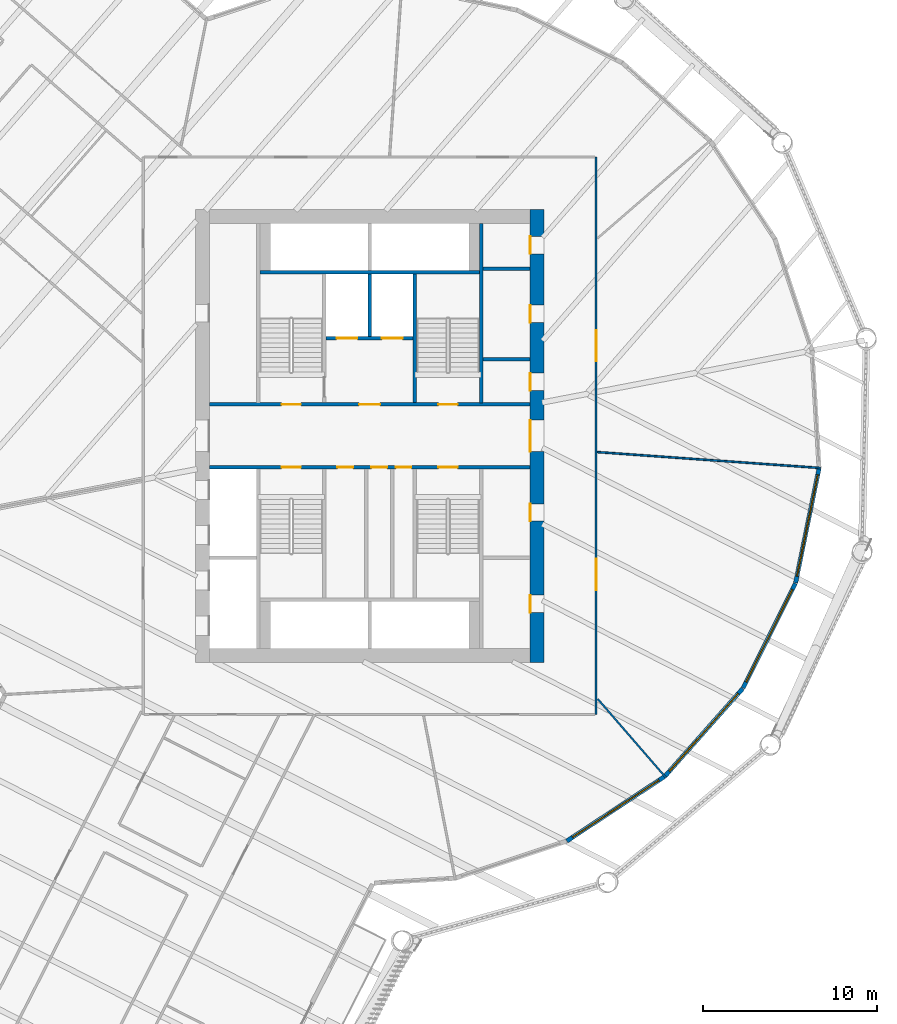
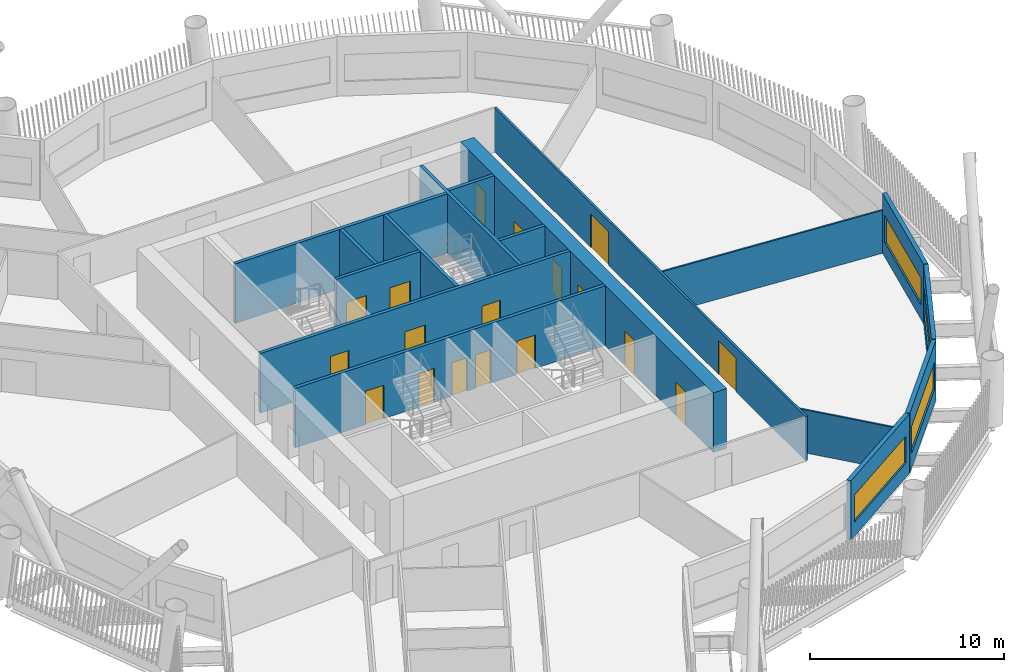
# One storey, part 5 of 21: 18 doors, 17 walls, 4 windows, 22 openings.
"""IFC4 building model written with IfcOpenShell, lengths in metres."""

from ifc_helpers import new_model, si_unit, direction, frame, frame_2d, origin, place, context, subcontext, project, spatial, rectangle, extrude, material, layer, layer_set, type_object, element, fill, save


model = new_model("IFC4")

# Units and contexts
model_context = context("Model", 3, precision=1e-05, world=origin(), true_north=direction((0.0, 1.0)))
body_context = subcontext(model_context, "Body", "Model", "MODEL_VIEW")
ifc_project = project(units=[si_unit("LENGTHUNIT", "METRE"), si_unit("AREAUNIT", "SQUARE_METRE"), si_unit("VOLUMEUNIT", "CUBIC_METRE"), si_unit("PLANEANGLEUNIT", "RADIAN"), si_unit("MASSUNIT", "GRAM", prefix="KILO")], contexts=[model_context])

# Site, building, storey
site_placement = place(None, origin())
site = spatial("IfcSite", under=ifc_project, at=site_placement, CompositionType="ELEMENT")
building_placement = place(site_placement, origin())
building = spatial("IfcBuilding", under=site, at=building_placement, Name="Tarsis Ring Headquarters", CompositionType="ELEMENT")
storey_placement = place(building_placement, frame((0.0, 0.0, 100.60009765625)))
storey = spatial("IfcBuildingStorey", under=building, at=storey_placement, Name="L22", CompositionType="ELEMENT", Elevation=100.60009765625)

# Walls
ifc_material_1 = material(Name="Blockwork", Category="masonry")
ifc_layer_1 = layer(ifc_material_1, 0.199951171875)
ifc_layer_set_1 = layer_set([ifc_layer_1], Name="Core blockwork wall 200")
wall_type_1 = type_object("IfcWallType", Name="Core blockwork wall 200", PredefinedType="PARTITIONING", material=ifc_layer_set_1)
for number, where, z_axis, x_axis, name in (
    (1, (6.5, 4.39990234375, 0.0), (0.0, 0.0, 1.0), (1.0, 0.0, 0.0), "Core partition ED5"),
    (2, (6.5, 9.60009765625, 0.0), (0.0, 0.0, 1.0), (1.0, 0.0, 0.0), "Core partition ED7"),
):
    element("IfcWall", number, at=place(storey_placement, frame(where, z_axis=z_axis, x_axis=x_axis)), inside=storey, type_object=wall_type_1, Name=name, PredefinedType="PARTITIONING", context=body_context, shape_type="SweptSolid", body=[
        extrude(rectangle(XDim=2.699951171875, YDim=0.199951171875, at=frame_2d((1.35009765625, 0.0))), origin(), (0.0, 0.0, 1.0), 3.739990234375),
    ])

# Wall, openings, doors
ifc_material_2 = material(Name="Concrete C60/75", Category="concrete")
ifc_layer_2 = layer(ifc_material_2, 0.800048828125)
ifc_layer_set_2 = layer_set([ifc_layer_2], Name="Core wall 800 C60/75")
wall_type_2 = type_object("IfcWallType", Name="Core wall 800 C60/75", PredefinedType="SHEAR", material=ifc_layer_set_2)
wall_1_placement = place(storey_placement, frame((9.60009765625, -13.0, 0.0), z_axis=(0.0, 0.0, 1.0), x_axis=(0.0, 1.0, 0.0)))
wall_1 = element("IfcWall", 3, at=wall_1_placement, inside=storey, type_object=wall_type_2, Name="Core wall OE", PredefinedType="SHEAR", context=body_context, shape_type="SweptSolid", body=[
    extrude(rectangle(XDim=26.0, YDim=0.800048828125, at=frame_2d((13.0, 0.0))), origin(), (0.0, 0.0, 1.0), 3.739990234375),
])
opening_1_placement = place(wall_1_placement, frame((2.85009765625, 0.0, 0.0)))
opening_1 = element("IfcOpeningElement", 4, at=opening_1_placement, cuts=wall_1, Name="Opening L22-C07", PredefinedType="OPENING", context=body_context, shape_type="SweptSolid", body=[
    extrude(rectangle(XDim=1.0, YDim=2.10009765625, at=frame_2d((0.5, 1.050048828125))), frame((0.0, 0.409912109375, 0.0), z_axis=(0.0, -1.0, 0.0), x_axis=(1.0, 0.0, 0.0)), (0.0, 0.0, 1.0), 0.820068359375),
])
opening_2_placement = place(wall_1_placement, frame((8.10009765625, 0.0, 0.0)))
opening_2 = element("IfcOpeningElement", 5, at=opening_2_placement, cuts=wall_1, Name="Opening L22-C08", PredefinedType="OPENING", context=body_context, shape_type="SweptSolid", body=[
    extrude(rectangle(XDim=1.0, YDim=2.10009765625, at=frame_2d((0.5, 1.050048828125))), frame((0.0, 0.409912109375, 0.0), z_axis=(0.0, -1.0, 0.0), x_axis=(1.0, 0.0, 0.0)), (0.0, 0.0, 1.0), 0.820068359375),
])
opening_3_placement = place(wall_1_placement, frame((12.10009765625, 0.0, 0.0)))
opening_3 = element("IfcOpeningElement", 6, at=opening_3_placement, cuts=wall_1, Name="Opening L22-C09", PredefinedType="OPENING", context=body_context, shape_type="SweptSolid", body=[
    extrude(rectangle(XDim=1.800048828125, YDim=2.10009765625, at=frame_2d((0.89990234375, 1.050048828125))), frame((0.0, 0.409912109375, 0.0), z_axis=(0.0, -1.0, 0.0), x_axis=(1.0, 0.0, 0.0)), (0.0, 0.0, 1.0), 0.820068359375),
])
opening_4_placement = place(wall_1_placement, frame((15.60009765625, 0.0, 0.0)))
opening_4 = element("IfcOpeningElement", 7, at=opening_4_placement, cuts=wall_1, Name="Opening L22-C10", PredefinedType="OPENING", context=body_context, shape_type="SweptSolid", body=[
    extrude(rectangle(XDim=1.0, YDim=2.10009765625, at=frame_2d((0.5, 1.050048828125))), frame((0.0, 0.409912109375, 0.0), z_axis=(0.0, -1.0, 0.0), x_axis=(1.0, 0.0, 0.0)), (0.0, 0.0, 1.0), 0.820068359375),
])
opening_5_placement = place(wall_1_placement, frame((19.5, 0.0, 0.0)))
opening_5 = element("IfcOpeningElement", 8, at=opening_5_placement, cuts=wall_1, Name="Opening L22-C11", PredefinedType="OPENING", context=body_context, shape_type="SweptSolid", body=[
    extrude(rectangle(XDim=1.0, YDim=2.10009765625, at=frame_2d((0.5, 1.050048828125))), frame((0.0, 0.409912109375, 0.0), z_axis=(0.0, -1.0, 0.0), x_axis=(1.0, 0.0, 0.0)), (0.0, 0.0, 1.0), 0.820068359375),
])
opening_6_placement = place(wall_1_placement, frame((23.449951171875, 0.0, 0.0)))
opening_6 = element("IfcOpeningElement", 9, at=opening_6_placement, cuts=wall_1, Name="Opening L22-C12", PredefinedType="OPENING", context=body_context, shape_type="SweptSolid", body=[
    extrude(rectangle(XDim=1.0, YDim=2.10009765625, at=frame_2d((0.5, 1.050048828125))), frame((0.0, 0.409912109375, 0.0), z_axis=(0.0, -1.0, 0.0), x_axis=(1.0, 0.0, 0.0)), (0.0, 0.0, 1.0), 0.820068359375),
])
ifc_material_3 = material(Name="Steel S355", Category="steel")
door_type_1 = type_object("IfcDoorType", Name="Core entry door 1800x2100", OperationType="DOUBLE_DOOR_SINGLE_SWING", PredefinedType="DOOR", material=ifc_material_3)
door_1_placement = place(opening_3_placement, origin())
door_1 = element("IfcDoor", 10, at=door_1_placement, inside=storey, type_object=door_type_1, Name="Core entry door L22", OperationType="DOUBLE_DOOR_SINGLE_SWING", OverallHeight=2.10009765625, OverallWidth=1.800048828125, PredefinedType="DOOR", context=body_context, shape_type="SweptSolid", body=[
    extrude(rectangle(XDim=1.800048828125, YDim=2.10009765625, at=frame_2d((0.89990234375, 1.050048828125))), frame((0.0, 0.39990234375, 0.0), z_axis=(0.0, -1.0, 0.0), x_axis=(1.0, 0.0, 0.0)), (0.0, 0.0, 1.0), 0.050048828125),
])
fill(opening_3, door_1)
door_type_2 = type_object("IfcDoorType", Name="Core room door 1000x2100", OperationType="SINGLE_SWING_LEFT", PredefinedType="DOOR", material=ifc_material_3)
door_2_placement = place(opening_1_placement, origin())
door_2 = element("IfcDoor", 11, at=door_2_placement, inside=storey, type_object=door_type_2, Name="Core room door L22", OperationType="SINGLE_SWING_LEFT", OverallHeight=2.10009765625, OverallWidth=1.0, PredefinedType="DOOR", context=body_context, shape_type="SweptSolid", body=[
    extrude(rectangle(XDim=1.0, YDim=2.10009765625, at=frame_2d((0.5, 1.050048828125))), frame((0.0, 0.39990234375, 0.0), z_axis=(0.0, -1.0, 0.0), x_axis=(1.0, 0.0, 0.0)), (0.0, 0.0, 1.0), 0.050048828125),
])
fill(opening_1, door_2)
door_3_placement = place(opening_2_placement, origin())
door_3 = element("IfcDoor", 12, at=door_3_placement, inside=storey, type_object=door_type_2, Name="Core room door L22", OperationType="SINGLE_SWING_LEFT", OverallHeight=2.10009765625, OverallWidth=1.0, PredefinedType="DOOR", context=body_context, shape_type="SweptSolid", body=[
    extrude(rectangle(XDim=1.0, YDim=2.10009765625, at=frame_2d((0.5, 1.050048828125))), frame((0.0, 0.39990234375, 0.0), z_axis=(0.0, -1.0, 0.0), x_axis=(1.0, 0.0, 0.0)), (0.0, 0.0, 1.0), 0.050048828125),
])
fill(opening_2, door_3)
door_4_placement = place(opening_4_placement, origin())
door_4 = element("IfcDoor", 13, at=door_4_placement, inside=storey, type_object=door_type_2, Name="Core room door L22", OperationType="SINGLE_SWING_LEFT", OverallHeight=2.10009765625, OverallWidth=1.0, PredefinedType="DOOR", context=body_context, shape_type="SweptSolid", body=[
    extrude(rectangle(XDim=1.0, YDim=2.10009765625, at=frame_2d((0.5, 1.050048828125))), frame((0.0, 0.39990234375, 0.0), z_axis=(0.0, -1.0, 0.0), x_axis=(1.0, 0.0, 0.0)), (0.0, 0.0, 1.0), 0.050048828125),
])
fill(opening_4, door_4)
door_5_placement = place(opening_5_placement, origin())
door_5 = element("IfcDoor", 14, at=door_5_placement, inside=storey, type_object=door_type_2, Name="Core room door L22", OperationType="SINGLE_SWING_LEFT", OverallHeight=2.10009765625, OverallWidth=1.0, PredefinedType="DOOR", context=body_context, shape_type="SweptSolid", body=[
    extrude(rectangle(XDim=1.0, YDim=2.10009765625, at=frame_2d((0.5, 1.050048828125))), frame((0.0, 0.39990234375, 0.0), z_axis=(0.0, -1.0, 0.0), x_axis=(1.0, 0.0, 0.0)), (0.0, 0.0, 1.0), 0.050048828125),
])
fill(opening_5, door_5)
door_6_placement = place(opening_6_placement, origin())
door_6 = element("IfcDoor", 15, at=door_6_placement, inside=storey, type_object=door_type_2, Name="Core room door L22", OperationType="SINGLE_SWING_LEFT", OverallHeight=2.10009765625, OverallWidth=1.0, PredefinedType="DOOR", context=body_context, shape_type="SweptSolid", body=[
    extrude(rectangle(XDim=1.0, YDim=2.10009765625, at=frame_2d((0.5, 1.050048828125))), frame((0.0, 0.39990234375, 0.0), z_axis=(0.0, -1.0, 0.0), x_axis=(1.0, 0.0, 0.0)), (0.0, 0.0, 1.0), 0.050048828125),
])
fill(opening_6, door_6)

# Walls
ifc_material_4 = material(Name="Gypsum board on steel studs", Category="steel")
ifc_layer_3 = layer(ifc_material_4, 0.10009765625)
ifc_layer_set_3 = layer_set([ifc_layer_3], Name="FL partition 100 unrated")
wall_type_3 = type_object("IfcWallType", Name="FL partition 100 unrated", PredefinedType="PARTITIONING", material=ifc_layer_set_3)
wall_2_placement = place(storey_placement, frame((13.06982421875, -0.932373046875, 0.0), z_axis=(0.0, 0.0, 1.0), x_axis=(0.997466123524, -0.071143041985, 0.0)))
element("IfcWall", 16, at=wall_2_placement, inside=storey, type_object=wall_type_3, Name="Partition PW3", PredefinedType="PARTITIONING", context=body_context, shape_type="SweptSolid", body=[
    extrude(rectangle(XDim=12.8447265625, YDim=0.10009765625, at=frame_2d((6.42236328125, 0.0))), origin(), (0.0, 0.0, 1.0), 2.699951171875),
])
wall_3_placement = place(storey_placement, frame((13.091796875, -15.102783203125, 0.0), z_axis=(0.0, 0.0, 1.0), x_axis=(0.655017858005, -0.755613396979, 0.0)))
element("IfcWall", 17, at=wall_3_placement, inside=storey, type_object=wall_type_3, Name="Partition PW3", PredefinedType="PARTITIONING", context=body_context, shape_type="SweptSolid", body=[
    extrude(rectangle(XDim=5.960693359375, YDim=0.10009765625, at=frame_2d((2.98046875, 0.0))), origin(), (0.0, 0.0, 1.0), 2.699951171875),
])

# Wall, openings, doors
ifc_layer_4 = layer(ifc_material_4, 0.125)
ifc_layer_set_4 = layer_set([ifc_layer_4], Name="FL partition 125 EI 60 H2770")
wall_type_4 = type_object("IfcWallType", Name="FL partition 125 EI 60 H2770", PredefinedType="PARTITIONING", material=ifc_layer_set_4)
wall_4_placement = place(storey_placement, frame((13.0, -16.0, 0.0), z_axis=(0.0, 0.0, 1.0), x_axis=(0.0, 1.0, 0.0)))
wall_4 = element("IfcWall", 18, at=wall_4_placement, inside=storey, type_object=wall_type_4, Name="Partition PW1", PredefinedType="PARTITIONING", context=body_context, shape_type="SweptSolid", body=[
    extrude(rectangle(XDim=32.0, YDim=0.125, at=frame_2d((16.0, 0.0))), origin(), (0.0, 0.0, 1.0), 2.77001953125),
])
opening_7_placement = place(wall_4_placement, frame((20.270751953125, 0.0, 0.0)))
opening_7 = element("IfcOpeningElement", 19, at=opening_7_placement, cuts=wall_4, Name="Opening D22.05", PredefinedType="OPENING", context=body_context, shape_type="SweptSolid", body=[
    extrude(rectangle(XDim=1.800048828125, YDim=2.10009765625, at=frame_2d((0.89990234375, 1.050048828125))), frame((0.0, 0.072509765625, 0.0), z_axis=(0.0, -1.0, 0.0), x_axis=(1.0, 0.0, 0.0)), (0.0, 0.0, 1.0), 0.14501953125),
])
opening_8_placement = place(wall_4_placement, frame((7.1376953125, 0.0, 0.0)))
opening_8 = element("IfcOpeningElement", 20, at=opening_8_placement, cuts=wall_4, Name="Opening D22.06", PredefinedType="OPENING", context=body_context, shape_type="SweptSolid", body=[
    extrude(rectangle(XDim=1.800048828125, YDim=2.10009765625, at=frame_2d((0.89990234375, 1.050048828125))), frame((0.0, 0.072509765625, 0.0), z_axis=(0.0, -1.0, 0.0), x_axis=(1.0, 0.0, 0.0)), (0.0, 0.0, 1.0), 0.14501953125),
])
ifc_material_5 = material(Name="Fire-rated timber door leaf in steel frame", Category="steel")
door_type_3 = type_object("IfcDoorType", Name="FL door FD60-1800", OperationType="DOUBLE_DOOR_SINGLE_SWING", PredefinedType="DOOR", material=ifc_material_5)
door_7_placement = place(opening_7_placement, origin())
door_7 = element("IfcDoor", 21, at=door_7_placement, inside=storey, type_object=door_type_3, Name="Door D22.05", OperationType="DOUBLE_DOOR_SINGLE_SWING", OverallHeight=2.10009765625, OverallWidth=1.800048828125, PredefinedType="DOOR", context=body_context, shape_type="SweptSolid", body=[
    extrude(rectangle(XDim=1.800048828125, YDim=2.10009765625, at=frame_2d((0.89990234375, 1.050048828125))), frame((0.0, 0.02490234375, 0.0), z_axis=(0.0, -1.0, 0.0), x_axis=(1.0, 0.0, 0.0)), (0.0, 0.0, 1.0), 0.050048828125),
])
fill(opening_7, door_7)
door_8_placement = place(opening_8_placement, origin())
door_8 = element("IfcDoor", 22, at=door_8_placement, inside=storey, type_object=door_type_3, Name="Door D22.06", OperationType="DOUBLE_DOOR_SINGLE_SWING", OverallHeight=2.10009765625, OverallWidth=1.800048828125, PredefinedType="DOOR", context=body_context, shape_type="SweptSolid", body=[
    extrude(rectangle(XDim=1.800048828125, YDim=2.10009765625, at=frame_2d((0.89990234375, 1.050048828125))), frame((0.0, 0.02490234375, 0.0), z_axis=(0.0, -1.0, 0.0), x_axis=(1.0, 0.0, 0.0)), (0.0, 0.0, 1.0), 0.050048828125),
])
fill(opening_8, door_8)

# Wall, opening, window
ifc_material_6 = material(Name="Terracotta clad insulated panel wall", Category="masonry")
ifc_layer_5 = layer(ifc_material_6, 0.25)
ifc_layer_set_5 = layer_set([ifc_layer_5], Name="Facade wall terracotta panel 250")
wall_type_5 = type_object("IfcWallType", Name="Facade wall terracotta panel 250", PredefinedType="STANDARD", material=ifc_layer_set_5)
wall_5_placement = place(storey_placement, frame((11.32373046875, -23.261962890625, 0.0), z_axis=(0.0, 0.0, 1.0), x_axis=(0.834661837574, 0.550762759178, 0.0)))
wall_5 = element("IfcWall", 23, at=wall_5_placement, inside=storey, type_object=wall_type_5, Name="External wall L22-19", PredefinedType="STANDARD", context=body_context, shape_type="SweptSolid", body=[
    extrude(rectangle(XDim=6.721435546875, YDim=0.25, at=frame_2d((3.36083984375, 0.0))), origin(), (0.0, 0.0, 1.0), 3.739990234375),
])
opening_9_placement = place(wall_5_placement, frame((0.3857421875, 0.0, 0.89990234375)))
opening_9 = element("IfcOpeningElement", 24, at=opening_9_placement, cuts=wall_5, Name="Opening WN07", PredefinedType="OPENING", context=body_context, shape_type="SweptSolid", body=[
    extrude(rectangle(XDim=5.949951171875, YDim=1.699951171875, at=frame_2d((2.97509765625, 0.85009765625))), frame((0.0, 0.135009765625, 0.0), z_axis=(0.0, -1.0, 0.0), x_axis=(1.0, 0.0, 0.0)), (0.0, 0.0, 1.0), 0.27001953125),
])
ifc_material_7 = material(Name="Aluminium framed double glazing", Category="aluminium")
window_type = type_object("IfcWindowType", Name="Facade window 5950 x 1700", PartitioningType="SINGLE_PANEL", PredefinedType="WINDOW", material=ifc_material_7)
window_1_placement = place(opening_9_placement, origin())
window_1 = element("IfcWindow", 25, at=window_1_placement, inside=storey, type_object=window_type, Name="Window L22-19.1", OverallHeight=1.699951171875, OverallWidth=5.949951171875, PartitioningType="SINGLE_PANEL", PredefinedType="WINDOW", context=body_context, shape_type="SweptSolid", body=[
    extrude(rectangle(XDim=5.949951171875, YDim=1.699951171875, at=frame_2d((2.97509765625, 0.85009765625))), frame((0.0, 0.030029296875, 0.0), z_axis=(0.0, -1.0, 0.0), x_axis=(1.0, 0.0, 0.0)), (0.0, 0.0, 1.0), 0.06005859375),
])
fill(opening_9, window_1)

wall_6_placement = place(storey_placement, frame((16.95849609375, -19.53857421875, 0.0), z_axis=(0.0, 0.0, 1.0), x_axis=(0.663657874138, 0.748036246511, 0.0)))
wall_6 = element("IfcWall", 26, at=wall_6_placement, inside=storey, type_object=wall_type_5, Name="External wall L22-20", PredefinedType="STANDARD", context=body_context, shape_type="SweptSolid", body=[
    extrude(rectangle(XDim=6.721435546875, YDim=0.25, at=frame_2d((3.36083984375, 0.0))), origin(), (0.0, 0.0, 1.0), 3.739990234375),
])
opening_10_placement = place(wall_6_placement, frame((0.3857421875, 0.0, 0.89990234375)))
opening_10 = element("IfcOpeningElement", 27, at=opening_10_placement, cuts=wall_6, Name="Opening WN07", PredefinedType="OPENING", context=body_context, shape_type="SweptSolid", body=[
    extrude(rectangle(XDim=5.949951171875, YDim=1.699951171875, at=frame_2d((2.97509765625, 0.85009765625))), frame((0.0, 0.135009765625, 0.0), z_axis=(0.0, -1.0, 0.0), x_axis=(1.0, 0.0, 0.0)), (0.0, 0.0, 1.0), 0.27001953125),
])
window_2_placement = place(opening_10_placement, origin())
window_2 = element("IfcWindow", 28, at=window_2_placement, inside=storey, type_object=window_type, Name="Window L22-20.1", OverallHeight=1.699951171875, OverallWidth=5.949951171875, PartitioningType="SINGLE_PANEL", PredefinedType="WINDOW", context=body_context, shape_type="SweptSolid", body=[
    extrude(rectangle(XDim=5.949951171875, YDim=1.699951171875, at=frame_2d((2.97509765625, 0.85009765625))), frame((0.0, 0.030029296875, 0.0), z_axis=(0.0, -1.0, 0.0), x_axis=(1.0, 0.0, 0.0)), (0.0, 0.0, 1.0), 0.06005859375),
])
fill(opening_10, window_2)

wall_7_placement = place(storey_placement, frame((21.4375, -14.483642578125, 0.0), z_axis=(0.0, 0.0, 1.0), x_axis=(0.447460573488, 0.894303659376, 0.0)))
wall_7 = element("IfcWall", 29, at=wall_7_placement, inside=storey, type_object=wall_type_5, Name="External wall L22-21", PredefinedType="STANDARD", context=body_context, shape_type="SweptSolid", body=[
    extrude(rectangle(XDim=6.721435546875, YDim=0.25, at=frame_2d((3.36083984375, 0.0))), origin(), (0.0, 0.0, 1.0), 3.739990234375),
])
opening_11_placement = place(wall_7_placement, frame((0.3857421875, 0.0, 0.89990234375)))
opening_11 = element("IfcOpeningElement", 30, at=opening_11_placement, cuts=wall_7, Name="Opening WN07", PredefinedType="OPENING", context=body_context, shape_type="SweptSolid", body=[
    extrude(rectangle(XDim=5.949951171875, YDim=1.699951171875, at=frame_2d((2.97509765625, 0.85009765625))), frame((0.0, 0.135009765625, 0.0), z_axis=(0.0, -1.0, 0.0), x_axis=(1.0, 0.0, 0.0)), (0.0, 0.0, 1.0), 0.27001953125),
])
window_3_placement = place(opening_11_placement, origin())
window_3 = element("IfcWindow", 31, at=window_3_placement, inside=storey, type_object=window_type, Name="Window L22-21.1", OverallHeight=1.699951171875, OverallWidth=5.949951171875, PartitioningType="SINGLE_PANEL", PredefinedType="WINDOW", context=body_context, shape_type="SweptSolid", body=[
    extrude(rectangle(XDim=5.949951171875, YDim=1.699951171875, at=frame_2d((2.97509765625, 0.85009765625))), frame((0.0, 0.030029296875, 0.0), z_axis=(0.0, -1.0, 0.0), x_axis=(1.0, 0.0, 0.0)), (0.0, 0.0, 1.0), 0.06005859375),
])
fill(opening_11, window_3)

wall_8_placement = place(storey_placement, frame((24.455810546875, -8.441650390625, 0.0), z_axis=(0.0, 0.0, 1.0), x_axis=(0.200717129567, 0.979649240238, 0.0)))
wall_8 = element("IfcWall", 32, at=wall_8_placement, inside=storey, type_object=wall_type_5, Name="External wall L22-22", PredefinedType="STANDARD", context=body_context, shape_type="SweptSolid", body=[
    extrude(rectangle(XDim=6.721435546875, YDim=0.25, at=frame_2d((3.36083984375, 0.0))), origin(), (0.0, 0.0, 1.0), 3.739990234375),
])
opening_12_placement = place(wall_8_placement, frame((0.3857421875, 0.0, 0.89990234375)))
opening_12 = element("IfcOpeningElement", 33, at=opening_12_placement, cuts=wall_8, Name="Opening WN07", PredefinedType="OPENING", context=body_context, shape_type="SweptSolid", body=[
    extrude(rectangle(XDim=5.949951171875, YDim=1.699951171875, at=frame_2d((2.97509765625, 0.85009765625))), frame((0.0, 0.135009765625, 0.0), z_axis=(0.0, -1.0, 0.0), x_axis=(1.0, 0.0, 0.0)), (0.0, 0.0, 1.0), 0.27001953125),
])
window_4_placement = place(opening_12_placement, origin())
window_4 = element("IfcWindow", 34, at=window_4_placement, inside=storey, type_object=window_type, Name="Window L22-22.1", OverallHeight=1.699951171875, OverallWidth=5.949951171875, PartitioningType="SINGLE_PANEL", PredefinedType="WINDOW", context=body_context, shape_type="SweptSolid", body=[
    extrude(rectangle(XDim=5.949951171875, YDim=1.699951171875, at=frame_2d((2.97509765625, 0.85009765625))), frame((0.0, 0.030029296875, 0.0), z_axis=(0.0, -1.0, 0.0), x_axis=(1.0, 0.0, 0.0)), (0.0, 0.0, 1.0), 0.06005859375),
])
fill(opening_12, window_4)

# Wall, openings, doors
ifc_material_8 = material(Name="Concrete C32/40", Category="concrete")
ifc_layer_6 = layer(ifc_material_8, 0.199951171875)
ifc_layer_set_6 = layer_set([ifc_layer_6], Name="Shaft wall 200 C32/40")
wall_type_6 = type_object("IfcWallType", Name="Shaft wall 200 C32/40", PredefinedType="SOLIDWALL", material=ifc_layer_set_6)
wall_9_placement = place(storey_placement, frame((-9.199951171875, 1.800048828125, 0.0), z_axis=(0.0, 0.0, 1.0), x_axis=(1.0, 0.0, 0.0)))
wall_9 = element("IfcWall", 35, at=wall_9_placement, inside=storey, type_object=wall_type_6, Name="Core shaft wall CN", PredefinedType="SOLIDWALL", context=body_context, shape_type="SweptSolid", body=[
    extrude(rectangle(XDim=18.39990234375, YDim=0.199951171875, at=frame_2d((9.199951171875, 0.0))), origin(), (0.0, 0.0, 1.0), 3.739990234375),
])
opening_13_placement = place(wall_9_placement, frame((4.14990234375, 0.0, 0.0)))
opening_13 = element("IfcOpeningElement", 36, at=opening_13_placement, cuts=wall_9, Name="Opening L22-C13", PredefinedType="OPENING", context=body_context, shape_type="SweptSolid", body=[
    extrude(rectangle(XDim=1.10009765625, YDim=2.10009765625, at=frame_2d((0.550048828125, 1.050048828125))), frame((0.0, 0.10986328125, 0.0), z_axis=(0.0, -1.0, 0.0), x_axis=(1.0, 0.0, 0.0)), (0.0, 0.0, 1.0), 0.219970703125),
])
opening_14_placement = place(wall_9_placement, frame((8.60009765625, 0.0, 0.0)))
opening_14 = element("IfcOpeningElement", 37, at=opening_14_placement, cuts=wall_9, Name="Opening L22-C14", PredefinedType="OPENING", context=body_context, shape_type="SweptSolid", body=[
    extrude(rectangle(XDim=1.199951171875, YDim=2.10009765625, at=frame_2d((0.60009765625, 1.050048828125))), frame((0.0, 0.10986328125, 0.0), z_axis=(0.0, -1.0, 0.0), x_axis=(1.0, 0.0, 0.0)), (0.0, 0.0, 1.0), 0.219970703125),
])
opening_15_placement = place(wall_9_placement, frame((13.14990234375, 0.0, 0.0)))
opening_15 = element("IfcOpeningElement", 38, at=opening_15_placement, cuts=wall_9, Name="Opening L22-C15", PredefinedType="OPENING", context=body_context, shape_type="SweptSolid", body=[
    extrude(rectangle(XDim=1.10009765625, YDim=2.10009765625, at=frame_2d((0.550048828125, 1.050048828125))), frame((0.0, 0.10986328125, 0.0), z_axis=(0.0, -1.0, 0.0), x_axis=(1.0, 0.0, 0.0)), (0.0, 0.0, 1.0), 0.219970703125),
])
door_type_4 = type_object("IfcDoorType", Name="Firefighting lobby door 1200x2100", OperationType="DOUBLE_DOOR_SINGLE_SWING", PredefinedType="DOOR", material=ifc_material_3)
door_9_placement = place(opening_14_placement, origin())
door_9 = element("IfcDoor", 39, at=door_9_placement, inside=storey, type_object=door_type_4, Name="Firefighting lobby door L22", OperationType="DOUBLE_DOOR_SINGLE_SWING", OverallHeight=2.10009765625, OverallWidth=1.199951171875, PredefinedType="DOOR", context=body_context, shape_type="SweptSolid", body=[
    extrude(rectangle(XDim=1.199951171875, YDim=2.10009765625, at=frame_2d((0.60009765625, 1.050048828125))), frame((0.0, 0.02490234375, 0.0), z_axis=(0.0, -1.0, 0.0), x_axis=(1.0, 0.0, 0.0)), (0.0, 0.0, 1.0), 0.050048828125),
])
fill(opening_14, door_9)
door_type_5 = type_object("IfcDoorType", Name="Stair door 1100x2100", OperationType="SINGLE_SWING_LEFT", PredefinedType="DOOR", material=ifc_material_3)
door_10_placement = place(opening_13_placement, origin())
door_10 = element("IfcDoor", 40, at=door_10_placement, inside=storey, type_object=door_type_5, Name="Stair door L22", OperationType="SINGLE_SWING_LEFT", OverallHeight=2.10009765625, OverallWidth=1.10009765625, PredefinedType="DOOR", context=body_context, shape_type="SweptSolid", body=[
    extrude(rectangle(XDim=1.10009765625, YDim=2.10009765625, at=frame_2d((0.550048828125, 1.050048828125))), frame((0.0, 0.02490234375, 0.0), z_axis=(0.0, -1.0, 0.0), x_axis=(1.0, 0.0, 0.0)), (0.0, 0.0, 1.0), 0.050048828125),
])
fill(opening_13, door_10)
door_11_placement = place(opening_15_placement, origin())
door_11 = element("IfcDoor", 41, at=door_11_placement, inside=storey, type_object=door_type_5, Name="Stair door L22", OperationType="SINGLE_SWING_LEFT", OverallHeight=2.10009765625, OverallWidth=1.10009765625, PredefinedType="DOOR", context=body_context, shape_type="SweptSolid", body=[
    extrude(rectangle(XDim=1.10009765625, YDim=2.10009765625, at=frame_2d((0.550048828125, 1.050048828125))), frame((0.0, 0.02490234375, 0.0), z_axis=(0.0, -1.0, 0.0), x_axis=(1.0, 0.0, 0.0)), (0.0, 0.0, 1.0), 0.050048828125),
])
fill(opening_15, door_11)

wall_10_placement = place(storey_placement, frame((-9.199951171875, -1.800048828125, 0.0), z_axis=(0.0, 0.0, 1.0), x_axis=(1.0, 0.0, 0.0)))
wall_10 = element("IfcWall", 42, at=wall_10_placement, inside=storey, type_object=wall_type_6, Name="Core shaft wall CS", PredefinedType="SOLIDWALL", context=body_context, shape_type="SweptSolid", body=[
    extrude(rectangle(XDim=18.39990234375, YDim=0.199951171875, at=frame_2d((9.199951171875, 0.0))), origin(), (0.0, 0.0, 1.0), 3.739990234375),
])
opening_16_placement = place(wall_10_placement, frame((4.14990234375, 0.0, 0.0)))
opening_16 = element("IfcOpeningElement", 43, at=opening_16_placement, cuts=wall_10, Name="Opening L22-C16", PredefinedType="OPENING", context=body_context, shape_type="SweptSolid", body=[
    extrude(rectangle(XDim=1.10009765625, YDim=2.10009765625, at=frame_2d((0.550048828125, 1.050048828125))), frame((0.0, 0.10986328125, 0.0), z_axis=(0.0, -1.0, 0.0), x_axis=(1.0, 0.0, 0.0)), (0.0, 0.0, 1.0), 0.219970703125),
])
opening_17_placement = place(wall_10_placement, frame((7.35009765625, 0.0, 0.0)))
opening_17 = element("IfcOpeningElement", 44, at=opening_17_placement, cuts=wall_10, Name="Opening L22-C17", PredefinedType="OPENING", context=body_context, shape_type="SweptSolid", body=[
    extrude(rectangle(XDim=0.89990234375, YDim=2.10009765625, at=frame_2d((0.449951171875, 1.050048828125))), frame((0.0, 0.10986328125, 0.0), z_axis=(0.0, -1.0, 0.0), x_axis=(1.0, 0.0, 0.0)), (0.0, 0.0, 1.0), 0.219970703125),
])
opening_18_placement = place(wall_10_placement, frame((9.300048828125, 0.0, 0.0)))
opening_18 = element("IfcOpeningElement", 45, at=opening_18_placement, cuts=wall_10, Name="Opening L22-C18", PredefinedType="OPENING", context=body_context, shape_type="SweptSolid", body=[
    extrude(rectangle(XDim=0.89990234375, YDim=2.10009765625, at=frame_2d((0.449951171875, 1.050048828125))), frame((0.0, 0.10986328125, 0.0), z_axis=(0.0, -1.0, 0.0), x_axis=(1.0, 0.0, 0.0)), (0.0, 0.0, 1.0), 0.219970703125),
])
opening_19_placement = place(wall_10_placement, frame((10.699951171875, 0.0, 0.0)))
opening_19 = element("IfcOpeningElement", 46, at=opening_19_placement, cuts=wall_10, Name="Opening L22-C19", PredefinedType="OPENING", context=body_context, shape_type="SweptSolid", body=[
    extrude(rectangle(XDim=0.89990234375, YDim=2.10009765625, at=frame_2d((0.449951171875, 1.050048828125))), frame((0.0, 0.10986328125, 0.0), z_axis=(0.0, -1.0, 0.0), x_axis=(1.0, 0.0, 0.0)), (0.0, 0.0, 1.0), 0.219970703125),
])
opening_20_placement = place(wall_10_placement, frame((13.14990234375, 0.0, 0.0)))
opening_20 = element("IfcOpeningElement", 47, at=opening_20_placement, cuts=wall_10, Name="Opening L22-C20", PredefinedType="OPENING", context=body_context, shape_type="SweptSolid", body=[
    extrude(rectangle(XDim=1.10009765625, YDim=2.10009765625, at=frame_2d((0.550048828125, 1.050048828125))), frame((0.0, 0.10986328125, 0.0), z_axis=(0.0, -1.0, 0.0), x_axis=(1.0, 0.0, 0.0)), (0.0, 0.0, 1.0), 0.219970703125),
])
door_12_placement = place(opening_16_placement, origin())
door_12 = element("IfcDoor", 48, at=door_12_placement, inside=storey, type_object=door_type_5, Name="Stair door L22", OperationType="SINGLE_SWING_LEFT", OverallHeight=2.10009765625, OverallWidth=1.10009765625, PredefinedType="DOOR", context=body_context, shape_type="SweptSolid", body=[
    extrude(rectangle(XDim=1.10009765625, YDim=2.10009765625, at=frame_2d((0.550048828125, 1.050048828125))), frame((0.0, 0.02490234375, 0.0), z_axis=(0.0, -1.0, 0.0), x_axis=(1.0, 0.0, 0.0)), (0.0, 0.0, 1.0), 0.050048828125),
])
fill(opening_16, door_12)
door_13_placement = place(opening_20_placement, origin())
door_13 = element("IfcDoor", 49, at=door_13_placement, inside=storey, type_object=door_type_5, Name="Stair door L22", OperationType="SINGLE_SWING_LEFT", OverallHeight=2.10009765625, OverallWidth=1.10009765625, PredefinedType="DOOR", context=body_context, shape_type="SweptSolid", body=[
    extrude(rectangle(XDim=1.10009765625, YDim=2.10009765625, at=frame_2d((0.550048828125, 1.050048828125))), frame((0.0, 0.02490234375, 0.0), z_axis=(0.0, -1.0, 0.0), x_axis=(1.0, 0.0, 0.0)), (0.0, 0.0, 1.0), 0.050048828125),
])
fill(opening_20, door_13)
door_type_6 = type_object("IfcDoorType", Name="WC door 900x2100", OperationType="SINGLE_SWING_LEFT", PredefinedType="DOOR", material=ifc_material_3)
door_14_placement = place(opening_17_placement, origin())
door_14 = element("IfcDoor", 50, at=door_14_placement, inside=storey, type_object=door_type_6, Name="WC door L22", OperationType="SINGLE_SWING_LEFT", OverallHeight=2.10009765625, OverallWidth=0.89990234375, PredefinedType="DOOR", context=body_context, shape_type="SweptSolid", body=[
    extrude(rectangle(XDim=0.89990234375, YDim=2.10009765625, at=frame_2d((0.449951171875, 1.050048828125))), frame((0.0, 0.02490234375, 0.0), z_axis=(0.0, -1.0, 0.0), x_axis=(1.0, 0.0, 0.0)), (0.0, 0.0, 1.0), 0.050048828125),
])
fill(opening_17, door_14)
door_15_placement = place(opening_18_placement, origin())
door_15 = element("IfcDoor", 51, at=door_15_placement, inside=storey, type_object=door_type_6, Name="WC door L22", OperationType="SINGLE_SWING_LEFT", OverallHeight=2.10009765625, OverallWidth=0.89990234375, PredefinedType="DOOR", context=body_context, shape_type="SweptSolid", body=[
    extrude(rectangle(XDim=0.89990234375, YDim=2.10009765625, at=frame_2d((0.449951171875, 1.050048828125))), frame((0.0, 0.02490234375, 0.0), z_axis=(0.0, -1.0, 0.0), x_axis=(1.0, 0.0, 0.0)), (0.0, 0.0, 1.0), 0.050048828125),
])
fill(opening_18, door_15)
door_16_placement = place(opening_19_placement, origin())
door_16 = element("IfcDoor", 52, at=door_16_placement, inside=storey, type_object=door_type_6, Name="WC door L22", OperationType="SINGLE_SWING_LEFT", OverallHeight=2.10009765625, OverallWidth=0.89990234375, PredefinedType="DOOR", context=body_context, shape_type="SweptSolid", body=[
    extrude(rectangle(XDim=0.89990234375, YDim=2.10009765625, at=frame_2d((0.449951171875, 1.050048828125))), frame((0.0, 0.02490234375, 0.0), z_axis=(0.0, -1.0, 0.0), x_axis=(1.0, 0.0, 0.0)), (0.0, 0.0, 1.0), 0.050048828125),
])
fill(opening_19, door_16)

# Walls
wall_11_placement = place(storey_placement, frame((6.39990234375, 1.89990234375, 0.0), z_axis=(0.0, 0.0, 1.0), x_axis=(0.0, 1.0, 0.0)))
element("IfcWall", 53, at=wall_11_placement, inside=storey, type_object=wall_type_6, Name="Core shaft wall EB2", PredefinedType="SOLIDWALL", context=body_context, shape_type="SweptSolid", body=[
    extrude(rectangle(XDim=10.300048828125, YDim=0.199951171875, at=frame_2d((5.14990234375, 0.0))), origin(), (0.0, 0.0, 1.0), 3.739990234375),
])
wall_12_placement = place(storey_placement, frame((-6.300048828125, 9.39990234375, 0.0), z_axis=(0.0, 0.0, 1.0), x_axis=(1.0, 0.0, 0.0)))
element("IfcWall", 54, at=wall_12_placement, inside=storey, type_object=wall_type_6, Name="Core shaft wall NB", PredefinedType="SOLIDWALL", context=body_context, shape_type="SweptSolid", body=[
    extrude(rectangle(XDim=12.60009765625, YDim=0.199951171875, at=frame_2d((6.300048828125, 0.0))), origin(), (0.0, 0.0, 1.0), 3.739990234375),
])
wall_13_placement = place(storey_placement, frame((2.60009765625, 1.89990234375, 0.0), z_axis=(0.0, 0.0, 1.0), x_axis=(0.0, 1.0, 0.0)))
element("IfcWall", 55, at=wall_13_placement, inside=storey, type_object=wall_type_6, Name="Core shaft wall SW2", PredefinedType="SOLIDWALL", context=body_context, shape_type="SweptSolid", body=[
    extrude(rectangle(XDim=7.400146484375, YDim=0.199951171875, at=frame_2d((3.7001953125, 0.0))), origin(), (0.0, 0.0, 1.0), 3.739990234375),
])

# Wall, openings, doors
wall_14_placement = place(storey_placement, frame((-2.5, 5.60009765625, 0.0), z_axis=(0.0, 0.0, 1.0), x_axis=(1.0, 0.0, 0.0)))
wall_14 = element("IfcWall", 56, at=wall_14_placement, inside=storey, type_object=wall_type_6, Name="Core shaft wall FFN", PredefinedType="SOLIDWALL", context=body_context, shape_type="SweptSolid", body=[
    extrude(rectangle(XDim=5.0, YDim=0.199951171875, at=frame_2d((2.5, 0.0))), origin(), (0.0, 0.0, 1.0), 3.739990234375),
])
opening_21_placement = place(wall_14_placement, frame((0.60009765625, 0.0, 0.0)))
opening_21 = element("IfcOpeningElement", 57, at=opening_21_placement, cuts=wall_14, Name="Opening LDF-1", PredefinedType="OPENING", context=body_context, shape_type="SweptSolid", body=[
    extrude(rectangle(XDim=1.199951171875, YDim=2.10009765625, at=frame_2d((0.60009765625, 1.050048828125))), frame((0.0, 0.10986328125, 0.0), z_axis=(0.0, -1.0, 0.0), x_axis=(1.0, 0.0, 0.0)), (0.0, 0.0, 1.0), 0.219970703125),
])
opening_22_placement = place(wall_14_placement, frame((3.199951171875, 0.0, 0.0)))
opening_22 = element("IfcOpeningElement", 58, at=opening_22_placement, cuts=wall_14, Name="Opening LDF-2", PredefinedType="OPENING", context=body_context, shape_type="SweptSolid", body=[
    extrude(rectangle(XDim=1.199951171875, YDim=2.10009765625, at=frame_2d((0.60009765625, 1.050048828125))), frame((0.0, 0.10986328125, 0.0), z_axis=(0.0, -1.0, 0.0), x_axis=(1.0, 0.0, 0.0)), (0.0, 0.0, 1.0), 0.219970703125),
])
door_type_7 = type_object("IfcDoorType", Name="Firefighting landing door 1200x2100", OperationType="SLIDING_TO_LEFT", PredefinedType="DOOR", material=ifc_material_3)
door_17_placement = place(opening_21_placement, origin())
door_17 = element("IfcDoor", 59, at=door_17_placement, inside=storey, type_object=door_type_7, Name="Landing door FF1 L22", OperationType="SLIDING_TO_LEFT", OverallHeight=2.10009765625, OverallWidth=1.199951171875, PredefinedType="DOOR", context=body_context, shape_type="SweptSolid", body=[
    extrude(rectangle(XDim=1.199951171875, YDim=2.10009765625, at=frame_2d((0.60009765625, 1.050048828125))), frame((0.0, 0.02490234375, 0.0), z_axis=(0.0, -1.0, 0.0), x_axis=(1.0, 0.0, 0.0)), (0.0, 0.0, 1.0), 0.050048828125),
])
fill(opening_21, door_17)
door_18_placement = place(opening_22_placement, origin())
door_18 = element("IfcDoor", 60, at=door_18_placement, inside=storey, type_object=door_type_7, Name="Landing door FF2 L22", OperationType="SLIDING_TO_LEFT", OverallHeight=2.10009765625, OverallWidth=1.199951171875, PredefinedType="DOOR", context=body_context, shape_type="SweptSolid", body=[
    extrude(rectangle(XDim=1.199951171875, YDim=2.10009765625, at=frame_2d((0.60009765625, 1.050048828125))), frame((0.0, 0.02490234375, 0.0), z_axis=(0.0, -1.0, 0.0), x_axis=(1.0, 0.0, 0.0)), (0.0, 0.0, 1.0), 0.050048828125),
])
fill(opening_22, door_18)

# Wall
wall_15_placement = place(storey_placement, frame((0.0, 5.699951171875, 0.0), z_axis=(0.0, 0.0, 1.0), x_axis=(0.0, 1.0, 0.0)))
element("IfcWall", 61, at=wall_15_placement, inside=storey, type_object=wall_type_6, Name="Core shaft wall FFD", PredefinedType="SOLIDWALL", context=body_context, shape_type="SweptSolid", body=[
    extrude(rectangle(XDim=3.60009765625, YDim=0.199951171875, at=frame_2d((1.800048828125, 0.0))), origin(), (0.0, 0.0, 1.0), 3.739990234375),
])

save(model, "model.ifc")
